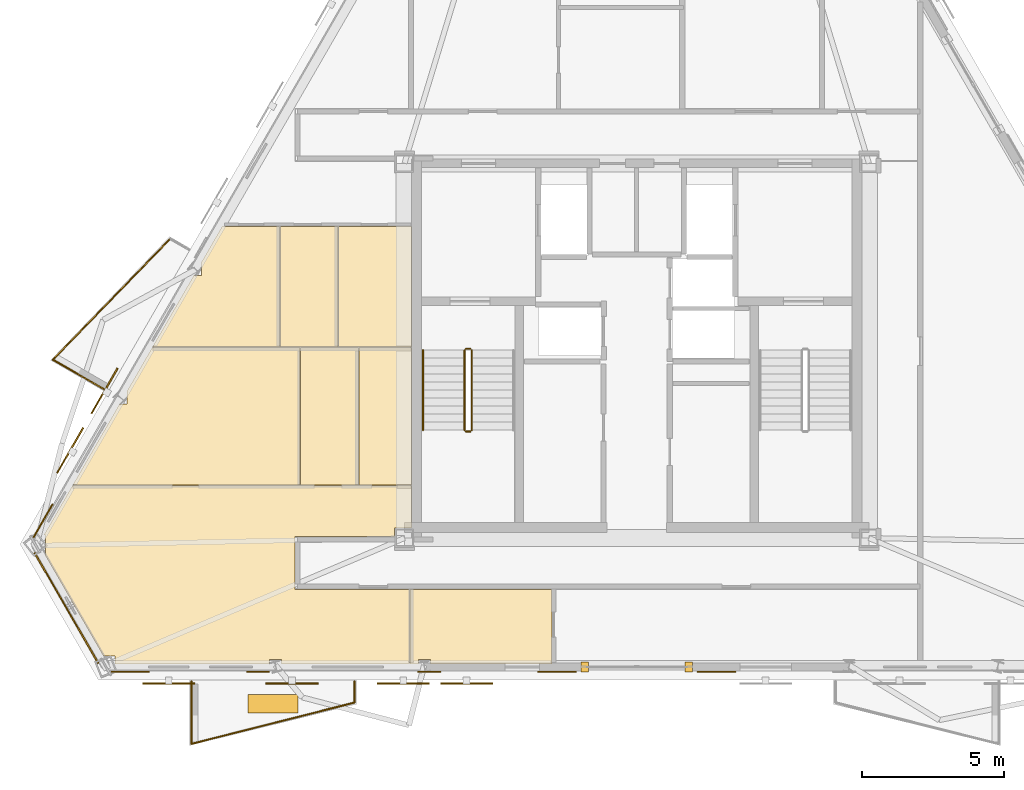
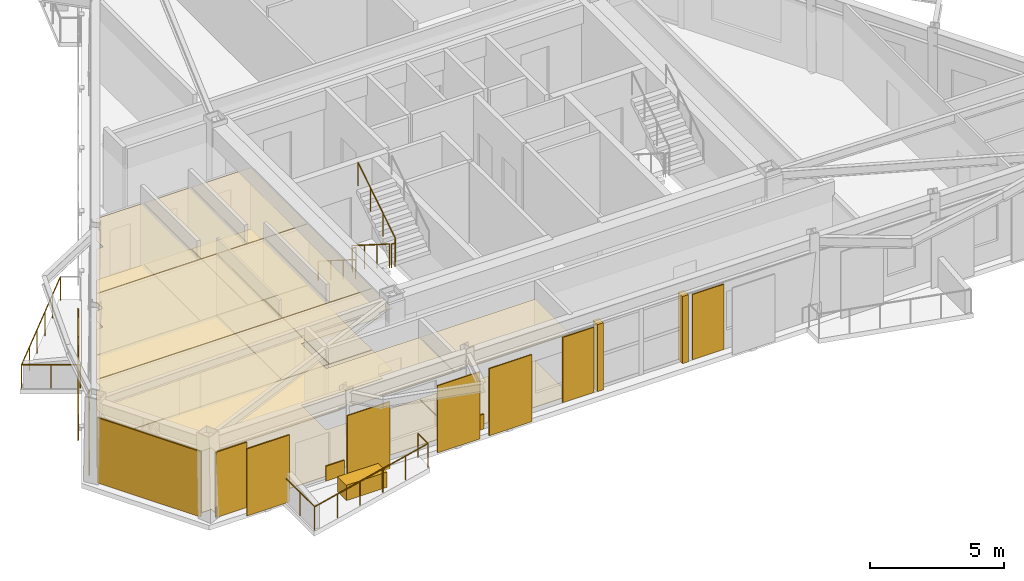
# One storey, part 12 of 15: 26 coverings, 10 railings, 6 shading devices.
"""IFC4 building model written with IfcOpenShell, lengths in metres."""

from ifc_helpers import new_model, si_unit, direction, frame, origin, origin_2d, place, context, subcontext, project, spatial, polyline, rectangle, circle, outline, extrude, material, layer, layer_set, type_object, element, save


model = new_model("IFC4")

# Units and contexts
model_context = context("Model", 3, precision=1e-05, world=origin(), true_north=direction((0.0, 1.0)))
body_context = subcontext(model_context, "Body", "Model", "MODEL_VIEW")
ifc_project = project(units=[si_unit("LENGTHUNIT", "METRE"), si_unit("AREAUNIT", "SQUARE_METRE"), si_unit("VOLUMEUNIT", "CUBIC_METRE"), si_unit("PLANEANGLEUNIT", "RADIAN"), si_unit("MASSUNIT", "GRAM", prefix="KILO")], contexts=[model_context])

# Site, building, storey
site_placement = place(None, origin())
site = spatial("IfcSite", under=ifc_project, at=site_placement, CompositionType="ELEMENT")
building_placement = place(site_placement, origin())
building = spatial("IfcBuilding", under=site, at=building_placement, Name="Oramaril Tower", CompositionType="ELEMENT")
storey_placement = place(building_placement, frame((0.0, 0.0, 265.5)))
storey = spatial("IfcBuildingStorey", under=building, at=storey_placement, Name="L70", CompositionType="ELEMENT", Elevation=265.5)

# Coverings
ifc_material_1 = material(Name="Mineral Fibre Acoustic Ceiling")
ifc_layer_1 = layer(ifc_material_1, 0.02001953125)
ifc_layer_set_1 = layer_set([ifc_layer_1], Name="CVT-CEIL")
covering_type_1 = type_object("IfcCoveringType", Name="CVT-CEIL", PredefinedType="CEILING", material=ifc_layer_set_1)
covering_1_placement = place(storey_placement, frame((0.0, 0.0, 2.81201171875)))
element("IfcCovering", 1, at=covering_1_placement, inside=storey, type_object=covering_type_1, Name="L70 Acoustic Suspended Ceiling 6", PredefinedType="CEILING", context=body_context, shape_type="SweptSolid", body=[
    extrude(outline(polyline([(30.2568359375, 6.7412109375), (29.834228515625, 6.7412109375), (29.834228515625, 6.582763671875), (29.5380859375, 6.582763671875), (29.5380859375, 9.199951171875), (34.521484375, 9.199951171875), (34.521484375, 6.582763671875), (30.2568359375, 6.582763671875), (30.2568359375, 6.7412109375)])), origin(), (0.0, 0.0, 1.0), 0.02001953125),
])
covering_2_placement = place(storey_placement, frame((0.0, 0.0, 2.81201171875)))
element("IfcCovering", 2, at=covering_2_placement, inside=storey, type_object=covering_type_1, Name="L70 Acoustic Suspended Ceiling 7", PredefinedType="CEILING", context=body_context, shape_type="SweptSolid", body=[
    extrude(outline(polyline([(29.60009765625, 12.8408203125), (29.60009765625, 11.344970703125), (29.0048828125, 11.344970703125), (29.0048828125, 11.050048828125), (25.52001953125, 11.050048828125), (25.51806640625, 11.0498046875), (25.51611328125, 11.049560546875), (25.51416015625, 11.049072265625), (25.51220703125, 11.048583984375), (25.510498046875, 11.047607421875), (25.5087890625, 11.046630859375), (25.50732421875, 11.04541015625), (25.505859375, 11.044189453125), (25.50439453125, 11.042724609375), (25.50341796875, 11.041015625), (25.50244140625, 11.039306640625), (25.50146484375, 11.03759765625), (25.5009765625, 11.035888671875), (25.50048828125, 11.033935546875), (25.5, 11.031982421875), (25.5, 11.030029296875), (25.5, 9.219970703125), (25.5, 9.218017578125), (25.50048828125, 9.216064453125), (25.5009765625, 9.214111328125), (25.50146484375, 9.21240234375), (25.50244140625, 9.210693359375), (25.50341796875, 9.208984375), (25.50439453125, 9.207275390625), (25.505859375, 9.205810546875), (25.50732421875, 9.20458984375), (25.5087890625, 9.203369140625), (25.510498046875, 9.202392578125), (25.51220703125, 9.201416015625), (25.51416015625, 9.200927734375), (25.51611328125, 9.200439453125), (25.51806640625, 9.2001953125), (25.52001953125, 9.199951171875), (29.51806640625, 9.199951171875), (29.51806640625, 6.582763671875), (25.0419921875, 6.582763671875), (25.0419921875, 6.7412109375), (24.61279296875, 6.7412109375), (24.61279296875, 6.582763671875), (19.19580078125, 6.582763671875), (19.19580078125, 6.854736328125), (18.78125, 6.854736328125), (16.726806640625, 10.4130859375), (16.748291015625, 10.4130859375), (16.748291015625, 11.103515625), (16.69775390625, 11.103515625), (17.70068359375, 12.8408203125), (29.60009765625, 12.8408203125)])), origin(), (0.0, 0.0, 1.0), 0.02001953125),
])
covering_3_placement = place(storey_placement, frame((0.0, 0.0, 2.81201171875)))
element("IfcCovering", 3, at=covering_3_placement, inside=storey, type_object=covering_type_1, Name="L70 Acoustic Suspended Ceiling 8", PredefinedType="CEILING", context=body_context, shape_type="SweptSolid", body=[
    extrude(outline(polyline([(19.34814453125, 15.694580078125), (19.618408203125, 15.694580078125), (19.618408203125, 16.1513671875), (19.61181640625, 16.1513671875), (20.50146484375, 17.69189453125), (25.681884765625, 17.69189453125), (25.681884765625, 12.86083984375), (17.712158203125, 12.86083984375), (19.34814453125, 15.694580078125)])), origin(), (0.0, 0.0, 1.0), 0.02001953125),
])
covering_4_placement = place(storey_placement, frame((0.0, 0.0, 2.81201171875)))
element("IfcCovering", 4, at=covering_4_placement, inside=storey, type_object=covering_type_1, Name="L70 Acoustic Suspended Ceiling 9", PredefinedType="CEILING", context=body_context, shape_type="SweptSolid", body=[
    extrude(outline(polyline([(27.73193359375, 17.69189453125), (27.73193359375, 12.86083984375), (25.701904296875, 12.86083984375), (25.701904296875, 17.69189453125), (27.73193359375, 17.69189453125)])), origin(), (0.0, 0.0, 1.0), 0.02001953125),
])
covering_5_placement = place(storey_placement, frame((0.0, 0.0, 2.81201171875)))
element("IfcCovering", 5, at=covering_5_placement, inside=storey, type_object=covering_type_1, Name="L70 Acoustic Suspended Ceiling 10", PredefinedType="CEILING", context=body_context, shape_type="SweptSolid", body=[
    extrude(outline(polyline([(29.60009765625, 17.69189453125), (29.60009765625, 12.86083984375), (27.751953125, 12.86083984375), (27.751953125, 17.69189453125), (29.60009765625, 17.69189453125)])), origin(), (0.0, 0.0, 1.0), 0.02001953125),
])
covering_6_placement = place(storey_placement, frame((0.0, 0.0, 2.81201171875)))
element("IfcCovering", 6, at=covering_6_placement, inside=storey, type_object=covering_type_1, Name="L70 Acoustic Suspended Ceiling 12", PredefinedType="CEILING", context=body_context, shape_type="SweptSolid", body=[
    extrude(outline(polyline([(22.22900390625, 20.21630859375), (22.22900390625, 20.66748046875), (22.21923828125, 20.66748046875), (22.954345703125, 21.940673828125), (22.954833984375, 21.9404296875), (22.956787109375, 21.939697265625), (22.95849609375, 21.93896484375), (22.96044921875, 21.9384765625), (22.96240234375, 21.93798828125), (22.96435546875, 21.93798828125), (24.96923828125, 21.93798828125), (24.96923828125, 17.7119140625), (20.512939453125, 17.7119140625), (21.958740234375, 20.21630859375), (22.22900390625, 20.21630859375)])), origin(), (0.0, 0.0, 1.0), 0.02001953125),
])
covering_7_placement = place(storey_placement, frame((0.0, 0.0, 2.81201171875)))
element("IfcCovering", 7, at=covering_7_placement, inside=storey, type_object=covering_type_1, Name="L70 Acoustic Suspended Ceiling 13", PredefinedType="CEILING", context=body_context, shape_type="SweptSolid", body=[
    extrude(outline(polyline([(27.019287109375, 17.7119140625), (25.701904296875, 17.7119140625), (25.699951171875, 17.7119140625), (25.697998046875, 17.711669921875), (25.6962890625, 17.711181640625), (25.6943359375, 17.71044921875), (25.692626953125, 17.709716796875), (25.69189453125, 17.709228515625), (25.69140625, 17.709716796875), (25.689697265625, 17.71044921875), (25.687744140625, 17.711181640625), (25.685791015625, 17.711669921875), (25.68408203125, 17.7119140625), (25.681884765625, 17.7119140625), (24.9892578125, 17.7119140625), (24.9892578125, 21.93798828125), (27.019287109375, 21.93798828125), (27.019287109375, 17.7119140625)])), origin(), (0.0, 0.0, 1.0), 0.02001953125),
])
covering_8_placement = place(storey_placement, frame((0.0, 0.0, 2.81201171875)))
element("IfcCovering", 8, at=covering_8_placement, inside=storey, type_object=covering_type_1, Name="L70 Acoustic Suspended Ceiling 14", PredefinedType="CEILING", context=body_context, shape_type="SweptSolid", body=[
    extrude(outline(polyline([(29.60009765625, 17.7119140625), (27.751953125, 17.7119140625), (27.75, 17.7119140625), (27.748046875, 17.711669921875), (27.74609375, 17.711181640625), (27.744384765625, 17.71044921875), (27.74267578125, 17.709716796875), (27.741943359375, 17.709228515625), (27.741455078125, 17.709716796875), (27.73974609375, 17.71044921875), (27.73779296875, 17.711181640625), (27.73583984375, 17.711669921875), (27.73388671875, 17.7119140625), (27.73193359375, 17.7119140625), (27.039306640625, 17.7119140625), (27.039306640625, 21.93798828125), (29.60009765625, 21.93798828125), (29.60009765625, 17.7119140625)])), origin(), (0.0, 0.0, 1.0), 0.02001953125),
])
ifc_material_2 = material(Name="Warm Cream Limestone", Category="masonry")
ifc_layer_2 = layer(ifc_material_2, 0.050048828125)
ifc_layer_set_2 = layer_set([ifc_layer_2], Name="CVT-CLD")
covering_type_2 = type_object("IfcCoveringType", Name="CVT-CLD", PredefinedType="CLADDING", material=ifc_layer_set_2)
covering_9_placement = place(storey_placement, frame((17.486572265625, 8.545166015625, 0.0400390625), z_axis=(0.0, 0.0, 1.0), x_axis=(0.500001511499, -0.866024531118, 0.0)))
element("IfcCovering", 9, at=covering_9_placement, inside=storey, type_object=covering_type_2, Name="L70 Warm Cream Limestone Cladding", PredefinedType="CLADDING", context=body_context, shape_type="SweptSolid", body=[
    extrude(rectangle(XDim=4.475341796875, YDim=0.050048828125, at=origin_2d()), origin(), (0.0, 0.0, 1.0), 2.97802734375),
])
for number, where, z_axis, x_axis, name in (
    (10, (35.669921875, 6.474853515625, 0.0), (0.0, 0.0, 1.0), (1.0, 0.0, 0.0), "L70 Curtain Wall Limestone Jamb Closure"),
    (11, (39.330078125, 6.474853515625, 0.0), (0.0, 0.0, 1.0), (1.0, 0.0, 0.0), "L70 Curtain Wall Limestone Jamb Closure"),
):
    element("IfcCovering", number, at=place(storey_placement, frame(where, z_axis=z_axis, x_axis=x_axis)), inside=storey, type_object=covering_type_2, Name=name, PredefinedType="CLADDING", context=body_context, shape_type="SweptSolid", body=[
        extrude(rectangle(XDim=0.260009765625, YDim=0.340087890625, at=origin_2d()), origin(), (0.0, 0.0, 1.0), 3.05810546875),
    ])
for number, where, z_axis, x_axis, name in (
    (12, (19.725830078125, 6.306884765625, 0.0400390625), (0.0, 0.0, 1.0), (1.0, 0.0, 0.0), "L70 Warm Cream Limestone Cladding"),
    (13, (34.699951171875, 6.306884765625, 0.0400390625), (0.0, 0.0, 1.0), (1.0, 0.0, 0.0), "L70 Warm Cream Limestone Cladding"),
):
    element("IfcCovering", number, at=place(storey_placement, frame(where, z_axis=z_axis, x_axis=x_axis)), inside=storey, type_object=covering_type_2, Name=name, PredefinedType="CLADDING", context=body_context, shape_type="SweptSolid", body=[
        extrude(rectangle(XDim=1.35009765625, YDim=0.050048828125, at=origin_2d()), origin(), (0.0, 0.0, 1.0), 2.97802734375),
    ])
for number, where, z_axis, x_axis, name in (
    (14, (24.211669921875, 6.306884765625, 0.0400390625), (0.0, 0.0, 1.0), (1.0, 0.0, 0.0), "L70 Warm Cream Limestone Spandrel Cladding"),
    (15, (30.21435546875, 6.306884765625, 0.0400390625), (0.0, 0.0, 1.0), (1.0, 0.0, 0.0), "L70 Warm Cream Limestone Spandrel Cladding"),
):
    element("IfcCovering", number, at=place(storey_placement, frame(where, z_axis=z_axis, x_axis=x_axis)), inside=storey, type_object=covering_type_2, Name=name, PredefinedType="CLADDING", context=body_context, shape_type="SweptSolid", body=[
        extrude(rectangle(XDim=0.800048828125, YDim=0.050048828125, at=origin_2d()), origin(), (0.0, 0.0, 1.0), 0.679931640625),
    ])
for number, where, z_axis, x_axis, name in (
    (16, (40.300048828125, 6.306884765625, 0.0400390625), (0.0, 0.0, 1.0), (1.0, 0.0, 0.0), "L70 Warm Cream Limestone Cladding"),
    (17, (16.667724609375, 11.603759765625, 0.0400390625), (0.0, 0.0, 1.0), (-0.4999984885, -0.866026276448, 0.0), "L70 Warm Cream Limestone Cladding"),
):
    element("IfcCovering", number, at=place(storey_placement, frame(where, z_axis=z_axis, x_axis=x_axis)), inside=storey, type_object=covering_type_2, Name=name, PredefinedType="CLADDING", context=body_context, shape_type="SweptSolid", body=[
        extrude(rectangle(XDim=1.35009765625, YDim=0.050048828125, at=origin_2d()), origin(), (0.0, 0.0, 1.0), 2.97802734375),
    ])
covering_10_placement = place(storey_placement, frame((24.7353515625, 5.17822265625, 0.0), z_axis=(0.0, 0.0, 1.0), x_axis=(1.0, 0.0, 0.0)))
element("IfcCovering", 18, at=covering_10_placement, inside=storey, type_object=covering_type_2, Name="L70 Structural Tree Planter Box L70-BAL-S1", PredefinedType="CLADDING", context=body_context, shape_type="SweptSolid", body=[
    extrude(rectangle(XDim=1.75, YDim=0.64990234375, at=origin_2d()), origin(), (0.0, 0.0, 1.0), 0.699951171875),
])
ifc_material_3 = material(Name="Honed Quartzite Stone Flooring", Category="masonry")
ifc_layer_3 = layer(ifc_material_3, 0.02490234375)
ifc_layer_set_3 = layer_set([ifc_layer_3], Name="CVT-FLR")
covering_type_3 = type_object("IfcCoveringType", Name="CVT-FLR", PredefinedType="FLOORING", material=ifc_layer_set_3)
covering_11_placement = place(storey_placement, origin())
element("IfcCovering", 19, at=covering_11_placement, inside=storey, type_object=covering_type_3, Name="L70 Honed Stone Floor Finish 6", PredefinedType="FLOORING", context=body_context, shape_type="SweptSolid", body=[
    extrude(outline(polyline([(30.2568359375, 6.7412109375), (29.834228515625, 6.7412109375), (29.834228515625, 6.582763671875), (29.5380859375, 6.582763671875), (29.5380859375, 9.199951171875), (34.521484375, 9.199951171875), (34.521484375, 6.582763671875), (30.2568359375, 6.582763671875), (30.2568359375, 6.7412109375)])), origin(), (0.0, 0.0, 1.0), 0.02490234375),
])
covering_12_placement = place(storey_placement, origin())
element("IfcCovering", 20, at=covering_12_placement, inside=storey, type_object=covering_type_3, Name="L70 Honed Stone Floor Finish 7", PredefinedType="FLOORING", context=body_context, shape_type="SweptSolid", body=[
    extrude(outline(polyline([(29.60009765625, 12.8408203125), (29.60009765625, 11.344970703125), (29.0048828125, 11.344970703125), (29.0048828125, 11.050048828125), (25.52001953125, 11.050048828125), (25.51806640625, 11.0498046875), (25.51611328125, 11.049560546875), (25.51416015625, 11.049072265625), (25.51220703125, 11.048583984375), (25.510498046875, 11.047607421875), (25.5087890625, 11.046630859375), (25.50732421875, 11.04541015625), (25.505859375, 11.044189453125), (25.50439453125, 11.042724609375), (25.50341796875, 11.041015625), (25.50244140625, 11.039306640625), (25.50146484375, 11.03759765625), (25.5009765625, 11.035888671875), (25.50048828125, 11.033935546875), (25.5, 11.031982421875), (25.5, 11.030029296875), (25.5, 9.219970703125), (25.5, 9.218017578125), (25.50048828125, 9.216064453125), (25.5009765625, 9.214111328125), (25.50146484375, 9.21240234375), (25.50244140625, 9.210693359375), (25.50341796875, 9.208984375), (25.50439453125, 9.207275390625), (25.505859375, 9.205810546875), (25.50732421875, 9.20458984375), (25.5087890625, 9.203369140625), (25.510498046875, 9.202392578125), (25.51220703125, 9.201416015625), (25.51416015625, 9.200927734375), (25.51611328125, 9.200439453125), (25.51806640625, 9.2001953125), (25.52001953125, 9.199951171875), (29.51806640625, 9.199951171875), (29.51806640625, 6.582763671875), (25.0419921875, 6.582763671875), (25.0419921875, 6.7412109375), (24.61279296875, 6.7412109375), (24.61279296875, 6.582763671875), (19.19580078125, 6.582763671875), (19.19580078125, 6.854736328125), (18.78125, 6.854736328125), (16.726806640625, 10.4130859375), (16.748291015625, 10.4130859375), (16.748291015625, 11.103515625), (16.69775390625, 11.103515625), (17.70068359375, 12.8408203125), (29.60009765625, 12.8408203125)])), origin(), (0.0, 0.0, 1.0), 0.02490234375),
])
covering_13_placement = place(storey_placement, origin())
element("IfcCovering", 21, at=covering_13_placement, inside=storey, type_object=covering_type_3, Name="L70 Honed Stone Floor Finish 8", PredefinedType="FLOORING", context=body_context, shape_type="SweptSolid", body=[
    extrude(outline(polyline([(19.34814453125, 15.694580078125), (19.618408203125, 15.694580078125), (19.618408203125, 16.1513671875), (19.61181640625, 16.1513671875), (20.50146484375, 17.69189453125), (25.681884765625, 17.69189453125), (25.681884765625, 12.86083984375), (17.712158203125, 12.86083984375), (19.34814453125, 15.694580078125)])), origin(), (0.0, 0.0, 1.0), 0.02490234375),
])
covering_14_placement = place(storey_placement, origin())
element("IfcCovering", 22, at=covering_14_placement, inside=storey, type_object=covering_type_3, Name="L70 Honed Stone Floor Finish 9", PredefinedType="FLOORING", context=body_context, shape_type="SweptSolid", body=[
    extrude(outline(polyline([(27.73193359375, 17.69189453125), (27.73193359375, 12.86083984375), (25.701904296875, 12.86083984375), (25.701904296875, 17.69189453125), (27.73193359375, 17.69189453125)])), origin(), (0.0, 0.0, 1.0), 0.02490234375),
])
covering_15_placement = place(storey_placement, origin())
element("IfcCovering", 23, at=covering_15_placement, inside=storey, type_object=covering_type_3, Name="L70 Honed Stone Floor Finish 10", PredefinedType="FLOORING", context=body_context, shape_type="SweptSolid", body=[
    extrude(outline(polyline([(29.60009765625, 17.69189453125), (29.60009765625, 12.86083984375), (27.751953125, 12.86083984375), (27.751953125, 17.69189453125), (29.60009765625, 17.69189453125)])), origin(), (0.0, 0.0, 1.0), 0.02490234375),
])
covering_16_placement = place(storey_placement, origin())
element("IfcCovering", 24, at=covering_16_placement, inside=storey, type_object=covering_type_3, Name="L70 Honed Stone Floor Finish 12", PredefinedType="FLOORING", context=body_context, shape_type="SweptSolid", body=[
    extrude(outline(polyline([(22.22900390625, 20.21630859375), (22.22900390625, 20.66748046875), (22.21923828125, 20.66748046875), (22.954345703125, 21.940673828125), (22.954833984375, 21.9404296875), (22.956787109375, 21.939697265625), (22.95849609375, 21.93896484375), (22.96044921875, 21.9384765625), (22.96240234375, 21.93798828125), (22.96435546875, 21.93798828125), (24.96923828125, 21.93798828125), (24.96923828125, 17.7119140625), (20.512939453125, 17.7119140625), (21.958740234375, 20.21630859375), (22.22900390625, 20.21630859375)])), origin(), (0.0, 0.0, 1.0), 0.02490234375),
])
covering_17_placement = place(storey_placement, origin())
element("IfcCovering", 25, at=covering_17_placement, inside=storey, type_object=covering_type_3, Name="L70 Honed Stone Floor Finish 13", PredefinedType="FLOORING", context=body_context, shape_type="SweptSolid", body=[
    extrude(outline(polyline([(27.019287109375, 17.7119140625), (25.701904296875, 17.7119140625), (25.699951171875, 17.7119140625), (25.697998046875, 17.711669921875), (25.6962890625, 17.711181640625), (25.6943359375, 17.71044921875), (25.692626953125, 17.709716796875), (25.69189453125, 17.709228515625), (25.69140625, 17.709716796875), (25.689697265625, 17.71044921875), (25.687744140625, 17.711181640625), (25.685791015625, 17.711669921875), (25.68408203125, 17.7119140625), (25.681884765625, 17.7119140625), (24.9892578125, 17.7119140625), (24.9892578125, 21.93798828125), (27.019287109375, 21.93798828125), (27.019287109375, 17.7119140625)])), origin(), (0.0, 0.0, 1.0), 0.02490234375),
])
covering_18_placement = place(storey_placement, origin())
element("IfcCovering", 26, at=covering_18_placement, inside=storey, type_object=covering_type_3, Name="L70 Honed Stone Floor Finish 14", PredefinedType="FLOORING", context=body_context, shape_type="SweptSolid", body=[
    extrude(outline(polyline([(29.60009765625, 17.7119140625), (27.751953125, 17.7119140625), (27.75, 17.7119140625), (27.748046875, 17.711669921875), (27.74609375, 17.711181640625), (27.744384765625, 17.71044921875), (27.74267578125, 17.709716796875), (27.741943359375, 17.709228515625), (27.741455078125, 17.709716796875), (27.73974609375, 17.71044921875), (27.73779296875, 17.711181640625), (27.73583984375, 17.711669921875), (27.73388671875, 17.7119140625), (27.73193359375, 17.7119140625), (27.039306640625, 17.7119140625), (27.039306640625, 21.93798828125), (29.60009765625, 21.93798828125), (29.60009765625, 17.7119140625)])), origin(), (0.0, 0.0, 1.0), 0.02490234375),
])

# Railings
ifc_material_4 = material(Name="Stainless Steel 316L", Category="steel")
railing_type_1 = type_object("IfcRailingType", Name="RLT-GRD", PredefinedType="GUARDRAIL", material=ifc_material_4)
railing_1_placement = place(storey_placement, frame((27.600341796875, 5.966796875, 0.0)))
element("IfcRailing", 27, at=railing_1_placement, inside=storey, type_object=railing_type_1, Name="L70 Balcony Guardrail L70-BAL-S1.1", PredefinedType="GUARDRAIL", context=body_context, shape_type="SweptSolid", body=[
    extrude(circle(Radius=0.02392578125, at=origin_2d()), frame((0.0, 0.0, 1.076171875), z_axis=(0.0, -1.0, 0.0), x_axis=(1.0, 0.0, 0.0)), (0.0, 0.0, 1.0), 0.741943359375),
    extrude(circle(Radius=0.02099609375, at=origin_2d()), origin(), (0.0, 0.0, 1.0), 1.052001953125),
    extrude(circle(Radius=0.02099609375, at=origin_2d()), frame((0.0, -0.741943359375, 0.0)), (0.0, 0.0, 1.0), 1.052001953125),
])
railing_2_placement = place(storey_placement, frame((27.600341796875, 5.224853515625, 0.0)))
element("IfcRailing", 28, at=railing_2_placement, inside=storey, type_object=railing_type_1, Name="L70 Balcony Guardrail L70-BAL-S1.2", PredefinedType="GUARDRAIL", context=body_context, shape_type="SweptSolid", body=[
    extrude(circle(Radius=0.02392578125, at=origin_2d()), frame((0.0, 0.0, 1.076171875), z_axis=(-0.969443611257, -0.245314256807, 0.0), x_axis=(0.245314256807, -0.969443611257, 0.0)), (0.0, 0.0, 1.0), 5.91064453125),
    extrude(circle(Radius=0.02099609375, at=origin_2d()), origin(), (0.0, 0.0, 1.0), 1.052001953125),
    extrude(circle(Radius=0.02099609375, at=origin_2d()), frame((-1.14599609375, -0.2900390625, 0.0)), (0.0, 0.0, 1.0), 1.052001953125),
    extrude(circle(Radius=0.02099609375, at=origin_2d()), frame((-2.2919921875, -0.580078125, 0.0)), (0.0, 0.0, 1.0), 1.052001953125),
    extrude(circle(Radius=0.02099609375, at=origin_2d()), frame((-3.43798828125, -0.869873046875, 0.0)), (0.0, 0.0, 1.0), 1.052001953125),
    extrude(circle(Radius=0.02099609375, at=origin_2d()), frame((-4.583984375, -1.159912109375, 0.0)), (0.0, 0.0, 1.0), 1.052001953125),
    extrude(circle(Radius=0.02099609375, at=origin_2d()), frame((-5.72998046875, -1.449951171875, 0.0)), (0.0, 0.0, 1.0), 1.052001953125),
])
railing_3_placement = place(storey_placement, frame((21.870361328125, 3.77490234375, 0.0)))
element("IfcRailing", 29, at=railing_3_placement, inside=storey, type_object=railing_type_1, Name="L70 Balcony Guardrail L70-BAL-S1.3", PredefinedType="GUARDRAIL", context=body_context, shape_type="SweptSolid", body=[
    extrude(circle(Radius=0.02392578125, at=origin_2d()), frame((0.0, 0.0, 1.076171875), z_axis=(0.0, 1.0, 0.0), x_axis=(-1.0, 0.0, 0.0)), (0.0, 0.0, 1.0), 2.19189453125),
    extrude(circle(Radius=0.02099609375, at=origin_2d()), origin(), (0.0, 0.0, 1.0), 1.052001953125),
    extrude(circle(Radius=0.02099609375, at=origin_2d()), frame((0.0, 1.095947265625, 0.0)), (0.0, 0.0, 1.0), 1.052001953125),
    extrude(circle(Radius=0.02099609375, at=origin_2d()), frame((0.0, 2.19189453125, 0.0)), (0.0, 0.0, 1.0), 1.052001953125),
])
railing_4_placement = place(storey_placement, frame((18.907958984375, 16.1640625, 0.0)))
element("IfcRailing", 30, at=railing_4_placement, inside=storey, type_object=railing_type_1, Name="L70 Balcony Guardrail L70-BAL-NW2.1", PredefinedType="GUARDRAIL", context=body_context, shape_type="SweptSolid", body=[
    extrude(circle(Radius=0.02392578125, at=origin_2d()), frame((0.0, 0.0, 1.076171875), z_axis=(-0.866048343933, 0.499960264392, 0.0), x_axis=(-0.499960264392, -0.866048343933, 0.0)), (0.0, 0.0, 1.0), 2.192138671875),
    extrude(circle(Radius=0.02099609375, at=origin_2d()), origin(), (0.0, 0.0, 1.0), 1.052001953125),
    extrude(circle(Radius=0.02099609375, at=origin_2d()), frame((-0.94921875, 0.5478515625, 0.0)), (0.0, 0.0, 1.0), 1.052001953125),
    extrude(circle(Radius=0.02099609375, at=origin_2d()), frame((-1.8984375, 1.095947265625, 0.0)), (0.0, 0.0, 1.0), 1.052001953125),
])
railing_5_placement = place(storey_placement, frame((17.009521484375, 17.260009765625, 0.0)))
element("IfcRailing", 31, at=railing_5_placement, inside=storey, type_object=railing_type_1, Name="L70 Balcony Guardrail L70-BAL-NW2.2", PredefinedType="GUARDRAIL", context=body_context, shape_type="SweptSolid", body=[
    extrude(circle(Radius=0.02392578125, at=origin_2d()), frame((0.0, 0.0, 1.076171875), z_axis=(0.697186915353, 0.716889395277, 0.0), x_axis=(-0.716889395277, 0.697186915353, 0.0)), (0.0, 0.0, 1.0), 5.91064453125),
    extrude(circle(Radius=0.02099609375, at=origin_2d()), origin(), (0.0, 0.0, 1.0), 1.052001953125),
    extrude(circle(Radius=0.02099609375, at=origin_2d()), frame((0.82421875, 0.847412109375, 0.0)), (0.0, 0.0, 1.0), 1.052001953125),
    extrude(circle(Radius=0.02099609375, at=origin_2d()), frame((1.6484375, 1.69482421875, 0.0)), (0.0, 0.0, 1.0), 1.052001953125),
    extrude(circle(Radius=0.02099609375, at=origin_2d()), frame((2.472412109375, 2.54248046875, 0.0)), (0.0, 0.0, 1.0), 1.052001953125),
    extrude(circle(Radius=0.02099609375, at=origin_2d()), frame((3.296630859375, 3.389892578125, 0.0)), (0.0, 0.0, 1.0), 1.052001953125),
    extrude(circle(Radius=0.02099609375, at=origin_2d()), frame((4.120849609375, 4.2373046875, 0.0)), (0.0, 0.0, 1.0), 1.052001953125),
])
railing_6_placement = place(storey_placement, frame((31.4599609375, 17.590087890625, 0.17724609375)))
element("IfcRailing", 32, at=railing_6_placement, inside=storey, type_object=railing_type_1, Name="L70 ST-1 stair guard 1", PredefinedType="GUARDRAIL", context=body_context, shape_type="SweptSolid", body=[
    extrude(circle(Radius=0.02392578125, at=origin_2d()), frame((0.0, 0.0, 1.076171875), z_axis=(0.0, -0.844908973607, 0.534910110503), x_axis=(1.0, 0.0, 0.0)), (0.0, 0.0, 1.0), 3.31396484375),
    extrude(circle(Radius=0.02099609375, at=origin_2d()), origin(), (0.0, 0.0, 1.0), 1.052001953125),
    extrude(circle(Radius=0.02099609375, at=origin_2d()), frame((0.0, -0.933349609375, 0.5908203125)), (0.0, 0.0, 1.0), 1.052001953125),
    extrude(circle(Radius=0.02099609375, at=origin_2d()), frame((0.0, -1.86669921875, 1.181884765625)), (0.0, 0.0, 1.0), 1.052001953125),
    extrude(circle(Radius=0.02099609375, at=origin_2d()), frame((0.0, -2.800048828125, 1.772705078125)), (0.0, 0.0, 1.0), 1.052001953125),
])
railing_7_placement = place(storey_placement, frame((31.510009765625, 14.739990234375, 1.949951171875)))
element("IfcRailing", 33, at=railing_7_placement, inside=storey, type_object=railing_type_1, Name="L70 ST-1 stair guard 2", PredefinedType="GUARDRAIL", context=body_context, shape_type="SweptSolid", body=[
    extrude(circle(Radius=0.02392578125, at=origin_2d()), frame((0.0, 0.0, 1.076171875), z_axis=(1.0, 0.0, 0.0), x_axis=(0.0, 1.0, 0.0)), (0.0, 0.0, 1.0), 0.14990234375),
    extrude(circle(Radius=0.02099609375, at=origin_2d()), origin(), (0.0, 0.0, 1.0), 1.052001953125),
    extrude(circle(Radius=0.02099609375, at=origin_2d()), frame((0.14990234375, 0.0, 0.0)), (0.0, 0.0, 1.0), 1.052001953125),
])
railing_8_placement = place(storey_placement, frame((31.7099609375, 14.7900390625, 2.127197265625)))
element("IfcRailing", 34, at=railing_8_placement, inside=storey, type_object=railing_type_1, Name="L70 ST-1 stair guard 3", PredefinedType="GUARDRAIL", context=body_context, shape_type="SweptSolid", body=[
    extrude(circle(Radius=0.02392578125, at=origin_2d()), frame((0.0, 0.0, 1.076171875), z_axis=(0.0, 0.844908973607, 0.534910110503), x_axis=(-1.0, 0.0, 0.0)), (0.0, 0.0, 1.0), 3.31396484375),
    extrude(circle(Radius=0.02099609375, at=origin_2d()), origin(), (0.0, 0.0, 1.0), 1.052001953125),
    extrude(circle(Radius=0.02099609375, at=origin_2d()), frame((0.0, 0.933349609375, 0.5908203125)), (0.0, 0.0, 1.0), 1.052001953125),
    extrude(circle(Radius=0.02099609375, at=origin_2d()), frame((0.0, 1.86669921875, 1.181884765625)), (0.0, 0.0, 1.0), 1.052001953125),
    extrude(circle(Radius=0.02099609375, at=origin_2d()), frame((0.0, 2.800048828125, 1.772705078125)), (0.0, 0.0, 1.0), 1.052001953125),
])
railing_9_placement = place(storey_placement, frame((31.510009765625, 17.639892578125, 0.0)))
element("IfcRailing", 35, at=railing_9_placement, inside=storey, type_object=railing_type_1, Name="L70 ST-1 stair guard 4", PredefinedType="GUARDRAIL", context=body_context, shape_type="SweptSolid", body=[
    extrude(circle(Radius=0.02392578125, at=origin_2d()), frame((0.0, 0.0, 1.076171875), z_axis=(1.0, 0.0, 0.0), x_axis=(0.0, 1.0, 0.0)), (0.0, 0.0, 1.0), 0.14990234375),
    extrude(circle(Radius=0.02099609375, at=origin_2d()), origin(), (0.0, 0.0, 1.0), 1.052001953125),
    extrude(circle(Radius=0.02099609375, at=origin_2d()), frame((0.14990234375, 0.0, 0.0)), (0.0, 0.0, 1.0), 1.052001953125),
])
ifc_material_5 = material(Name="Stainless Steel 316L", Category="steel")
railing_type_2 = type_object("IfcRailingType", Name="RLT-HND", PredefinedType="HANDRAIL", material=ifc_material_5)
railing_10_placement = place(storey_placement, frame((30.0, 17.590087890625, 0.17724609375)))
element("IfcRailing", 36, at=railing_10_placement, inside=storey, type_object=railing_type_2, Name="L70 ST-1 stair handrail 1", PredefinedType="HANDRAIL", context=body_context, shape_type="SweptSolid", body=[
    extrude(circle(Radius=0.02392578125, at=origin_2d()), frame((0.0, 0.0, 0.8759765625), z_axis=(0.0, -0.844908973607, 0.534910110503), x_axis=(1.0, 0.0, 0.0)), (0.0, 0.0, 1.0), 3.31396484375),
    extrude(circle(Radius=0.02099609375, at=origin_2d()), origin(), (0.0, 0.0, 1.0), 0.851806640625),
    extrude(circle(Radius=0.02099609375, at=origin_2d()), frame((0.0, -0.933349609375, 0.5908203125)), (0.0, 0.0, 1.0), 0.851806640625),
    extrude(circle(Radius=0.02099609375, at=origin_2d()), frame((0.0, -1.86669921875, 1.181884765625)), (0.0, 0.0, 1.0), 0.851806640625),
    extrude(circle(Radius=0.02099609375, at=origin_2d()), frame((0.0, -2.800048828125, 1.772705078125)), (0.0, 0.0, 1.0), 0.851806640625),
])

# Shading devices
for number, where, z_axis, x_axis, name in (
    (37, (31.531982421875, 5.894775390625, -0.02001953125), (0.0, 0.0, 1.0), (1.0, 0.0, 0.0), "L70 Perforated Ceramic Solar Screen"),
    (38, (21.07666015625, 5.894775390625, -0.02001953125), (0.0, 0.0, 1.0), (1.0, 0.0, 0.0), "L70 Perforated Ceramic Solar Screen"),
    (39, (25.40478515625, 5.894775390625, -0.02001953125), (0.0, 0.0, 1.0), (1.0, 0.0, 0.0), "L70 Perforated Ceramic Solar Screen"),
    (40, (29.3046875, 5.894775390625, -0.02001953125), (0.0, 0.0, 1.0), (1.0, 0.0, 0.0), "L70 Perforated Ceramic Solar Screen"),
    (41, (17.617919921875, 14.073486328125, -0.02001953125), (0.0, 0.0, 1.0), (-0.4999984885, -0.866026276448, 0.0), "L70 Perforated Ceramic Solar Screen"),
    (42, (18.82421875, 16.1630859375, -0.02001953125), (0.0, 0.0, 1.0), (-0.4999984885, -0.866026276448, 0.0), "L70 Perforated Ceramic Solar Screen"),
):
    element("IfcShadingDevice", number, at=place(storey_placement, frame(where, z_axis=z_axis, x_axis=x_axis)), inside=storey, Name=name, ObjectType="SCREEN", PredefinedType="USERDEFINED", context=body_context, shape_type="SweptSolid", body=[
        extrude(rectangle(XDim=1.8330078125, YDim=0.050048828125, at=origin_2d()), origin(), (0.0, 0.0, 1.0), 3.05810546875),
    ])

save(model, "model.ifc")
